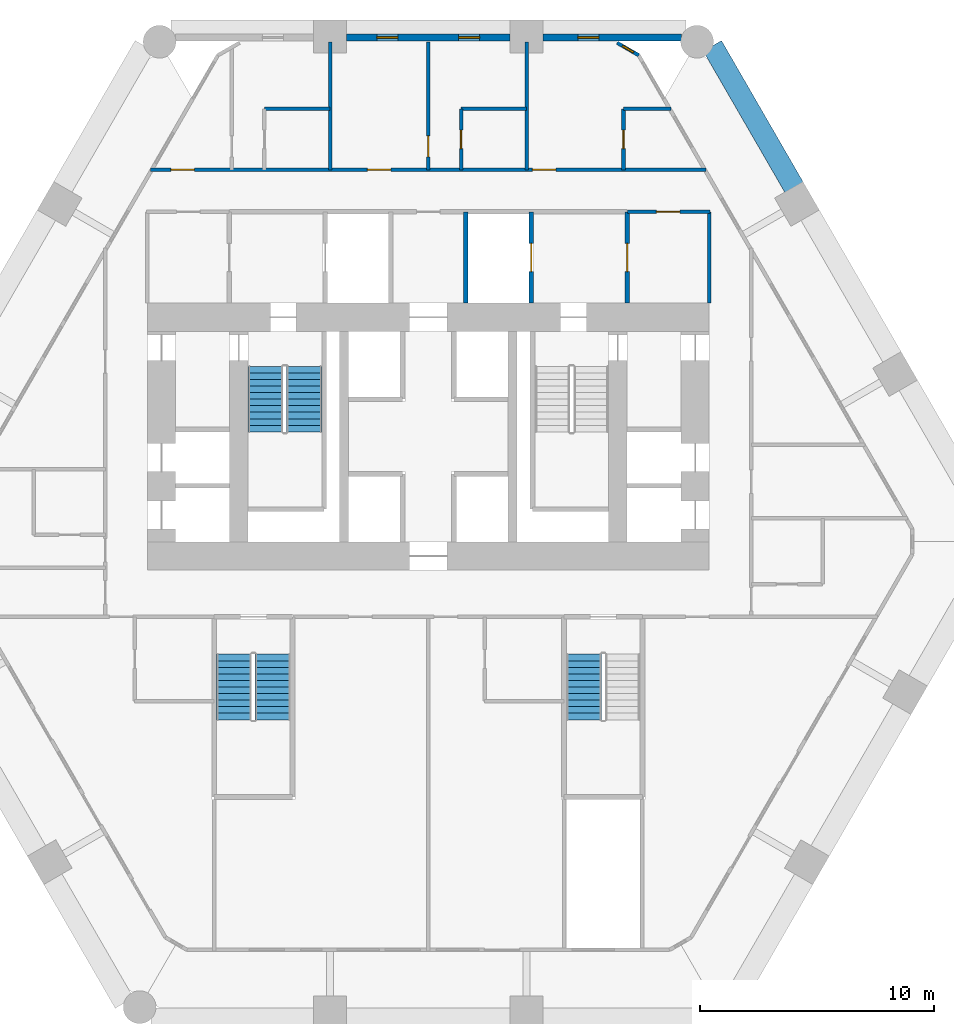
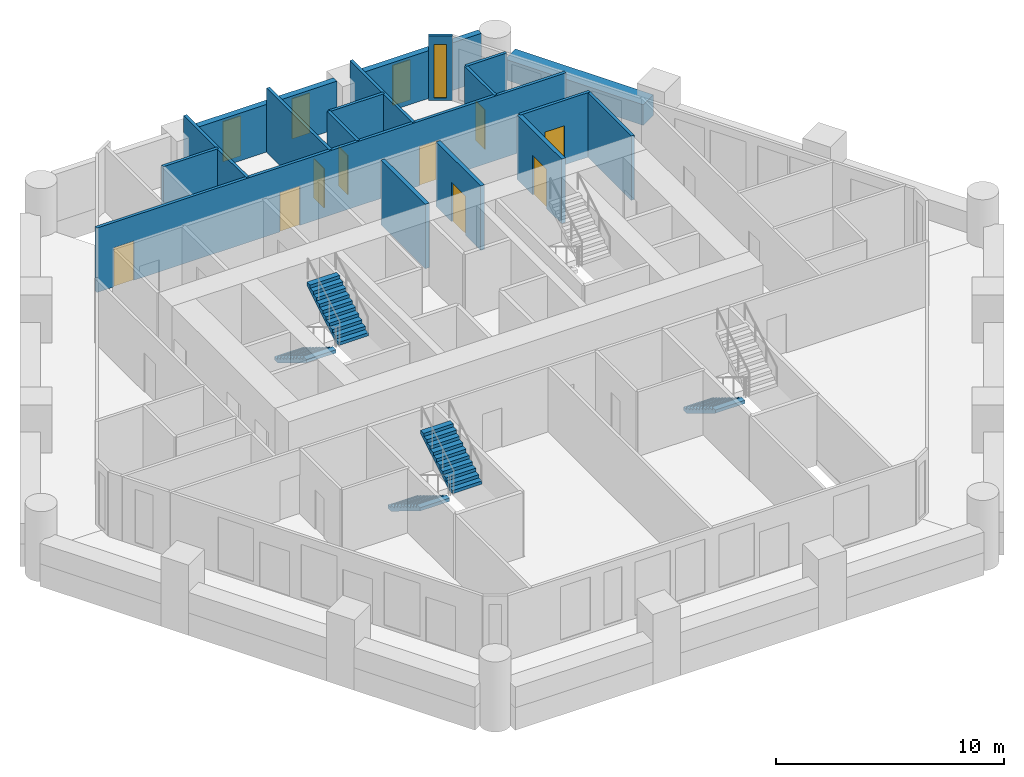
# One storey, part 6 of 8: 18 walls, 9 doors, 5 stair flights, 4 windows, 13 openings, 3 elements without a shape of their own.
"""IFC4 building model written with IfcOpenShell, lengths in metres."""

from ifc_helpers import new_model, si_unit, direction, frame, frame_2d, origin, place, context, subcontext, project, spatial, polyline, rectangle, outline, extrude, material, layer, layer_set, type_object, element, fill, aggregate, save


model = new_model("IFC4")

# Units and contexts
model_context = context("Model", 3, precision=1e-05, world=origin(), true_north=direction((0.0, 1.0)))
body_context = subcontext(model_context, "Body", "Model", "MODEL_VIEW")
ifc_project = project(units=[si_unit("LENGTHUNIT", "METRE"), si_unit("AREAUNIT", "SQUARE_METRE"), si_unit("VOLUMEUNIT", "CUBIC_METRE"), si_unit("PLANEANGLEUNIT", "RADIAN"), si_unit("MASSUNIT", "GRAM", prefix="KILO")], contexts=[model_context])

# Site, building, storey
site_placement = place(None, origin())
site = spatial("IfcSite", under=ifc_project, at=site_placement, CompositionType="ELEMENT")
building_placement = place(site_placement, origin())
building = spatial("IfcBuilding", under=site, at=building_placement, Name="Ostrander Bayou Hotel Tower", CompositionType="ELEMENT")
storey_placement = place(building_placement, frame((0.0, 0.0, 54.25)))
storey = spatial("IfcBuildingStorey", under=building, at=storey_placement, Name="L13", CompositionType="ELEMENT", Elevation=54.25)

# Wall, opening, window
ifc_material_1 = material(Name="Aluminium framed insulated wall", Category="aluminium")
ifc_layer_1 = layer(ifc_material_1, 0.14990234375)
ifc_layer_set_1 = layer_set([ifc_layer_1], Name="GW1 glass-line wall 150 mm")
wall_type_1 = type_object("IfcWallType", Name="GW1 glass-line wall 150 mm", PredefinedType="SOLIDWALL", material=ifc_layer_set_1)
wall_1_placement = place(storey_placement, frame((8.99267578125, 20.29248046875, 0.0), z_axis=(0.0, 0.0, 1.0), x_axis=(-0.866048165231, 0.499960573946, 0.0)))
wall_1 = element("IfcWall", 1, at=wall_1_placement, inside=storey, type_object=wall_type_1, Name="GW1 L13 corner 6", PredefinedType="SOLIDWALL", context=body_context, shape_type="SweptSolid", body=[
    extrude(rectangle(XDim=1.06494140625, YDim=0.14990234375, at=frame_2d((0.532470703125, 0.0))), origin(), (0.0, 0.0, 1.0), 3.449951171875),
])
opening_1_placement = place(wall_1_placement, frame((0.257568359375, 0.0, 0.14990234375)))
opening_1 = element("IfcOpeningElement", 2, at=opening_1_placement, cuts=wall_1, Name="Opening W19", PredefinedType="OPENING", context=body_context, shape_type="SweptSolid", body=[
    extrude(rectangle(XDim=0.550048828125, YDim=2.85009765625, at=frame_2d((0.27490234375, 1.425048828125))), frame((0.0, 0.074951171875, 0.0), z_axis=(0.0, -1.0, 0.0), x_axis=(1.0, 0.0, 0.0)), (0.0, 0.0, 1.0), 0.14990234375),
])
ifc_material_2 = material(Name="Aluminium and clear glass", Category="aluminium")
window_type_1 = type_object("IfcWindowType", Name="W19 corner window 550 mm", PartitioningType="SINGLE_PANEL", PredefinedType="WINDOW", material=ifc_material_2)
window_1_placement = place(opening_1_placement, origin())
window_1 = element("IfcWindow", 3, at=window_1_placement, inside=storey, type_object=window_type_1, Name="W19 L13 corner 6", OverallHeight=2.85009765625, OverallWidth=0.550048828125, PartitioningType="SINGLE_PANEL", PredefinedType="WINDOW", context=body_context, shape_type="SweptSolid", body=[
    extrude(rectangle(XDim=0.550048828125, YDim=2.85009765625, at=frame_2d((0.27490234375, 1.425048828125))), frame((0.0, 0.030029296875, 0.0), z_axis=(0.0, -1.0, 0.0), x_axis=(1.0, 0.0, 0.0)), (0.0, 0.0, 1.0), 0.06005859375),
])
fill(opening_1, window_1)

ifc_material_3 = material(Name="Reconstituted stone on masonry backing", Category="masonry")
ifc_layer_2 = layer(ifc_material_3, 0.300048828125)
ifc_layer_set_2 = layer_set([ifc_layer_2], Name="NW1 north stone wall 300 mm")
wall_type_2 = type_object("IfcWallType", Name="NW1 north stone wall 300 mm", PredefinedType="SOLIDWALL", material=ifc_layer_set_2)
wall_2_placement = place(storey_placement, frame((10.809814453125, 21.050048828125, 0.0), z_axis=(0.0, 0.0, 1.0), x_axis=(-1.0, 0.0, 0.0)))
wall_2 = element("IfcWall", 4, at=wall_2_placement, inside=storey, type_object=wall_type_2, Name="NW1 L13 N-1", PredefinedType="SOLIDWALL", context=body_context, shape_type="SweptSolid", body=[
    extrude(rectangle(XDim=5.914306640625, YDim=0.300048828125, at=frame_2d((2.95703125, 0.0))), origin(), (0.0, 0.0, 1.0), 2.550048828125),
])
opening_2_placement = place(wall_2_placement, frame((3.521728515625, 0.0, 0.14990234375)))
opening_2 = element("IfcOpeningElement", 5, at=opening_2_placement, cuts=wall_2, Name="Opening W15", PredefinedType="OPENING", context=body_context, shape_type="SweptSolid", body=[
    extrude(rectangle(XDim=0.89990234375, YDim=2.14990234375, at=frame_2d((0.449951171875, 1.074951171875))), frame((0.0, 0.14990234375, 0.0), z_axis=(0.0, -1.0, 0.0), x_axis=(1.0, 0.0, 0.0)), (0.0, 0.0, 1.0), 0.300048828125),
])
ifc_material_4 = material(Name="Aluminium and clear glass", Category="aluminium")
window_type_2 = type_object("IfcWindowType", Name="W15 window 900 mm, zone 1", PartitioningType="SINGLE_PANEL", PredefinedType="WINDOW", material=ifc_material_4)
window_2_placement = place(opening_2_placement, origin())
window_2 = element("IfcWindow", 6, at=window_2_placement, inside=storey, type_object=window_type_2, Name="W15 L13 north N-1", OverallHeight=2.14990234375, OverallWidth=0.89990234375, PartitioningType="SINGLE_PANEL", PredefinedType="WINDOW", context=body_context, shape_type="SweptSolid", body=[
    extrude(rectangle(XDim=0.89990234375, YDim=2.14990234375, at=frame_2d((0.449951171875, 1.074951171875))), frame((0.0, 0.030029296875, 0.0), z_axis=(0.0, -1.0, 0.0), x_axis=(1.0, 0.0, 0.0)), (0.0, 0.0, 1.0), 0.06005859375),
])
fill(opening_2, window_2)

# Wall, openings, windows
wall_3_placement = place(storey_placement, frame((3.495361328125, 21.050048828125, 0.0), z_axis=(0.0, 0.0, 1.0), x_axis=(-1.0, 0.0, 0.0)))
wall_3 = element("IfcWall", 7, at=wall_3_placement, inside=storey, type_object=wall_type_2, Name="NW1 L13 N-2", PredefinedType="SOLIDWALL", context=body_context, shape_type="SweptSolid", body=[
    extrude(rectangle(XDim=6.99072265625, YDim=0.300048828125, at=frame_2d((3.495361328125, 0.0))), origin(), (0.0, 0.0, 1.0), 2.550048828125),
])
opening_3_placement = place(wall_3_placement, frame((1.300048828125, 0.0, 0.14990234375)))
opening_3 = element("IfcOpeningElement", 8, at=opening_3_placement, cuts=wall_3, Name="Opening W15", PredefinedType="OPENING", context=body_context, shape_type="SweptSolid", body=[
    extrude(rectangle(XDim=0.89990234375, YDim=2.14990234375, at=frame_2d((0.449951171875, 1.074951171875))), frame((0.0, 0.14990234375, 0.0), z_axis=(0.0, -1.0, 0.0), x_axis=(1.0, 0.0, 0.0)), (0.0, 0.0, 1.0), 0.300048828125),
])
opening_4_placement = place(wall_3_placement, frame((4.79541015625, 0.0, 0.14990234375)))
opening_4 = element("IfcOpeningElement", 9, at=opening_4_placement, cuts=wall_3, Name="Opening W15", PredefinedType="OPENING", context=body_context, shape_type="SweptSolid", body=[
    extrude(rectangle(XDim=0.89990234375, YDim=2.14990234375, at=frame_2d((0.449951171875, 1.074951171875))), frame((0.0, 0.14990234375, 0.0), z_axis=(0.0, -1.0, 0.0), x_axis=(1.0, 0.0, 0.0)), (0.0, 0.0, 1.0), 0.300048828125),
])
window_3_placement = place(opening_3_placement, origin())
window_3 = element("IfcWindow", 10, at=window_3_placement, inside=storey, type_object=window_type_2, Name="W15 L13 north N-2", OverallHeight=2.14990234375, OverallWidth=0.89990234375, PartitioningType="SINGLE_PANEL", PredefinedType="WINDOW", context=body_context, shape_type="SweptSolid", body=[
    extrude(rectangle(XDim=0.89990234375, YDim=2.14990234375, at=frame_2d((0.449951171875, 1.074951171875))), frame((0.0, 0.030029296875, 0.0), z_axis=(0.0, -1.0, 0.0), x_axis=(1.0, 0.0, 0.0)), (0.0, 0.0, 1.0), 0.06005859375),
])
fill(opening_3, window_3)
window_4_placement = place(opening_4_placement, origin())
window_4 = element("IfcWindow", 11, at=window_4_placement, inside=storey, type_object=window_type_2, Name="W15 L13 north N-2-2", OverallHeight=2.14990234375, OverallWidth=0.89990234375, PartitioningType="SINGLE_PANEL", PredefinedType="WINDOW", context=body_context, shape_type="SweptSolid", body=[
    extrude(rectangle(XDim=0.89990234375, YDim=2.14990234375, at=frame_2d((0.449951171875, 1.074951171875))), frame((0.0, 0.030029296875, 0.0), z_axis=(0.0, -1.0, 0.0), x_axis=(1.0, 0.0, 0.0)), (0.0, 0.0, 1.0), 0.06005859375),
])
fill(opening_4, window_4)

# Wall
ifc_material_5 = material(Name="Concrete f'c 40 MPa", Category="concrete")
ifc_layer_3 = layer(ifc_material_5, 0.89990234375)
ifc_layer_set_3 = layer_set([ifc_layer_3], Name="PA1 stone-faced parapet 900 mm")
wall_type_3 = type_object("IfcWallType", Name="PA1 stone-faced parapet 900 mm", PredefinedType="PARAPET", material=ifc_layer_set_3)
wall_4_placement = place(storey_placement, frame((15.6318359375, 14.64306640625, 0.0), z_axis=(0.0, 0.0, 1.0), x_axis=(-0.500009789943, 0.866019751484, 0.0)))
element("IfcWall", 12, at=wall_4_placement, inside=storey, type_object=wall_type_3, Name="PA1 L13 NE-3", PredefinedType="PARAPET", context=body_context, shape_type="SweptSolid", body=[
    extrude(rectangle(XDim=6.987060546875, YDim=0.89990234375, at=frame_2d((3.49365234375, 0.0))), origin(), (0.0, 0.0, 1.0), 1.10009765625),
])

# Wall, opening, door
ifc_material_6 = material(Name="Masonry block", Category="masonry")
ifc_layer_4 = layer(ifc_material_6, 0.199951171875)
ifc_layer_set_4 = layer_set([ifc_layer_4], Name="PT5 stair enclosure wall 200 mm masonry, 2 hour")
wall_type_4 = type_object("IfcWallType", Name="PT5 stair enclosure wall 200 mm masonry, 2 hour", PredefinedType="PARTITIONING", material=ifc_layer_set_4)
wall_5_placement = place(storey_placement, frame((8.5, 9.699951171875, 0.0), z_axis=(0.0, 0.0, 1.0), x_axis=(0.0, 1.0, 0.0)))
wall_5 = element("IfcWall", 13, at=wall_5_placement, inside=storey, type_object=wall_type_4, Name="cs:L13:025", PredefinedType="PARTITIONING", context=body_context, shape_type="SweptSolid", body=[
    extrude(rectangle(XDim=3.900146484375, YDim=0.199951171875, at=frame_2d((1.9501953125, 0.0))), origin(), (0.0, 0.0, 1.0), 3.449951171875),
])
opening_5_placement = place(wall_5_placement, frame((1.35009765625, 0.0, 0.0)))
opening_5 = element("IfcOpeningElement", 14, at=opening_5_placement, cuts=wall_5, Name="Opening T12-012", PredefinedType="OPENING", context=body_context, shape_type="SweptSolid", body=[
    extrude(rectangle(XDim=1.199951171875, YDim=2.10009765625, at=frame_2d((0.60009765625, 1.050048828125))), frame((0.0, 0.10009765625, 0.0), z_axis=(0.0, -1.0, 0.0), x_axis=(1.0, 0.0, 0.0)), (0.0, 0.0, 1.0), 0.199951171875),
])
ifc_material_7 = material(Name="Timber door leaf", Category="wood")
door_type_1 = type_object("IfcDoorType", Name="D7 lobby door 1200 x 2100 mm, 1 hour", OperationType="SINGLE_SWING_LEFT", PredefinedType="DOOR", material=ifc_material_7)
door_1_placement = place(opening_5_placement, origin())
door_1 = element("IfcDoor", 15, at=door_1_placement, inside=storey, type_object=door_type_1, Name="dr:L13:012", OperationType="SINGLE_SWING_LEFT", OverallHeight=2.10009765625, OverallWidth=1.199951171875, PredefinedType="DOOR", context=body_context, shape_type="SweptSolid", body=[
    extrude(rectangle(XDim=1.199951171875, YDim=2.10009765625, at=frame_2d((0.60009765625, 1.050048828125))), frame((0.0, 0.02490234375, 0.0), z_axis=(0.0, -1.0, 0.0), x_axis=(1.0, 0.0, 0.0)), (0.0, 0.0, 1.0), 0.050048828125),
])
fill(opening_5, door_1)

wall_6_placement = place(storey_placement, frame((4.39990234375, 9.699951171875, 0.0), z_axis=(0.0, 0.0, 1.0), x_axis=(0.0, 1.0, 0.0)))
wall_6 = element("IfcWall", 16, at=wall_6_placement, inside=storey, type_object=wall_type_4, Name="cs:L13:027", PredefinedType="PARTITIONING", context=body_context, shape_type="SweptSolid", body=[
    extrude(rectangle(XDim=3.900146484375, YDim=0.199951171875, at=frame_2d((1.9501953125, 0.0))), origin(), (0.0, 0.0, 1.0), 3.449951171875),
])
opening_6_placement = place(wall_6_placement, frame((1.35009765625, 0.0, 0.0)))
opening_6 = element("IfcOpeningElement", 17, at=opening_6_placement, cuts=wall_6, Name="Opening T12-011", PredefinedType="OPENING", context=body_context, shape_type="SweptSolid", body=[
    extrude(rectangle(XDim=1.199951171875, YDim=2.10009765625, at=frame_2d((0.60009765625, 1.050048828125))), frame((0.0, 0.10009765625, 0.0), z_axis=(0.0, -1.0, 0.0), x_axis=(1.0, 0.0, 0.0)), (0.0, 0.0, 1.0), 0.199951171875),
])
ifc_material_8 = material(Name="Stainless steel sliding door", Category="steel")
door_type_2 = type_object("IfcDoorType", Name="LD1 lift landing door 1200 x 2100 mm", OperationType="SINGLE_SWING_LEFT", PredefinedType="DOOR", material=ifc_material_8)
door_2_placement = place(opening_6_placement, origin())
door_2 = element("IfcDoor", 18, at=door_2_placement, inside=storey, type_object=door_type_2, Name="dr:L13:011", OperationType="SLIDING_TO_LEFT", OverallHeight=2.10009765625, OverallWidth=1.199951171875, PredefinedType="DOOR", context=body_context, shape_type="SweptSolid", body=[
    extrude(rectangle(XDim=1.199951171875, YDim=2.10009765625, at=frame_2d((0.60009765625, 1.050048828125))), frame((0.0, 0.02490234375, 0.0), z_axis=(0.0, -1.0, 0.0), x_axis=(1.0, 0.0, 0.0)), (0.0, 0.0, 1.0), 0.050048828125),
])
fill(opening_6, door_2)

# Wall
ifc_material_9 = material(Name="Masonry block", Category="masonry")
ifc_layer_5 = layer(ifc_material_9, 0.199951171875)
ifc_layer_set_5 = layer_set([ifc_layer_5], Name="PT6 lift shaft wall 200 mm masonry, 2 hour")
wall_type_5 = type_object("IfcWallType", Name="PT6 lift shaft wall 200 mm masonry, 2 hour", PredefinedType="PARTITIONING", material=ifc_layer_set_5)
wall_7_placement = place(storey_placement, frame((1.60009765625, 9.699951171875, 0.0), z_axis=(0.0, 0.0, 1.0), x_axis=(0.0, 1.0, 0.0)))
element("IfcWall", 19, at=wall_7_placement, inside=storey, type_object=wall_type_5, Name="cs:L13:029", PredefinedType="PARTITIONING", context=body_context, shape_type="SweptSolid", body=[
    extrude(rectangle(XDim=3.900146484375, YDim=0.199951171875, at=frame_2d((1.9501953125, 0.0))), origin(), (0.0, 0.0, 1.0), 3.449951171875),
])

# Wall, opening, door
ifc_material_10 = material(Name="Gypsum board partition", Category="finish")
ifc_layer_6 = layer(ifc_material_10, 0.14990234375)
ifc_layer_set_6 = layer_set([ifc_layer_6], Name="PT8 service band wall 150 mm, 1 hour")
wall_type_6 = type_object("IfcWallType", Name="PT8 service band wall 150 mm, 1 hour", PredefinedType="PARTITIONING", material=ifc_layer_set_6)
wall_8_placement = place(storey_placement, frame((8.510009765625, 13.60009765625, 0.0), z_axis=(0.0, 0.0, 1.0), x_axis=(1.0, 0.0, 0.0)))
wall_8 = element("IfcWall", 20, at=wall_8_placement, inside=storey, type_object=wall_type_6, Name="gw:L13:013", PredefinedType="PARTITIONING", context=body_context, shape_type="SweptSolid", body=[
    extrude(rectangle(XDim=3.530029296875, YDim=0.14990234375, at=frame_2d((1.76513671875, 0.0))), origin(), (0.0, 0.0, 1.0), 3.449951171875),
])
opening_7_placement = place(wall_8_placement, frame((1.239990234375, 0.0, 0.0)))
opening_7 = element("IfcOpeningElement", 21, at=opening_7_placement, cuts=wall_8, Name="Opening T12-423", PredefinedType="OPENING", context=body_context, shape_type="SweptSolid", body=[
    extrude(rectangle(XDim=1.0, YDim=2.10009765625, at=frame_2d((0.5, 1.050048828125))), frame((0.0, 0.074951171875, 0.0), z_axis=(0.0, -1.0, 0.0), x_axis=(1.0, 0.0, 0.0)), (0.0, 0.0, 1.0), 0.14990234375),
])
ifc_material_11 = material(Name="Timber door leaf", Category="wood")
door_type_3 = type_object("IfcDoorType", Name="D9 service door 1000 x 2100 mm, 30 minute", OperationType="SINGLE_SWING_LEFT", PredefinedType="DOOR", material=ifc_material_11)
door_3_placement = place(opening_7_placement, origin())
door_3 = element("IfcDoor", 22, at=door_3_placement, inside=storey, type_object=door_type_3, Name="dr:L13:423", OperationType="SINGLE_SWING_LEFT", OverallHeight=2.10009765625, OverallWidth=1.0, PredefinedType="DOOR", context=body_context, shape_type="SweptSolid", body=[
    extrude(rectangle(XDim=1.0, YDim=2.10009765625, at=frame_2d((0.5, 1.050048828125))), frame((0.0, 0.02490234375, 0.0), z_axis=(0.0, -1.0, 0.0), x_axis=(1.0, 0.0, 0.0)), (0.0, 0.0, 1.0), 0.050048828125),
])
fill(opening_7, door_3)

# Wall, openings, doors
wall_9_placement = place(storey_placement, frame((-11.868896484375, 15.39990234375, 0.0), z_axis=(0.0, 0.0, 1.0), x_axis=(1.0, 0.0, 0.0)))
wall_9 = element("IfcWall", 23, at=wall_9_placement, inside=storey, type_object=wall_type_6, Name="gw:L13:014", PredefinedType="PARTITIONING", context=body_context, shape_type="SweptSolid", body=[
    extrude(rectangle(XDim=23.73779296875, YDim=0.14990234375, at=frame_2d((11.868896484375, 0.0))), origin(), (0.0, 0.0, 1.0), 3.449951171875),
])
opening_8_placement = place(wall_9_placement, frame((0.868896484375, 0.0, 0.0)))
opening_8 = element("IfcOpeningElement", 24, at=opening_8_placement, cuts=wall_9, Name="Opening T12-414", PredefinedType="OPENING", context=body_context, shape_type="SweptSolid", body=[
    extrude(rectangle(XDim=1.0, YDim=2.10009765625, at=frame_2d((0.5, 1.050048828125))), frame((0.0, 0.074951171875, 0.0), z_axis=(0.0, -1.0, 0.0), x_axis=(1.0, 0.0, 0.0)), (0.0, 0.0, 1.0), 0.14990234375),
])
opening_9_placement = place(wall_9_placement, frame((9.26904296875, 0.0, 0.0)))
opening_9 = element("IfcOpeningElement", 25, at=opening_9_placement, cuts=wall_9, Name="Opening T12-417", PredefinedType="OPENING", context=body_context, shape_type="SweptSolid", body=[
    extrude(rectangle(XDim=1.0, YDim=2.10009765625, at=frame_2d((0.5, 1.050048828125))), frame((0.0, 0.074951171875, 0.0), z_axis=(0.0, -1.0, 0.0), x_axis=(1.0, 0.0, 0.0)), (0.0, 0.0, 1.0), 0.14990234375),
])
opening_10_placement = place(wall_9_placement, frame((16.319091796875, 0.0, 0.0)))
opening_10 = element("IfcOpeningElement", 26, at=opening_10_placement, cuts=wall_9, Name="Opening T12-420", PredefinedType="OPENING", context=body_context, shape_type="SweptSolid", body=[
    extrude(rectangle(XDim=1.0, YDim=2.10009765625, at=frame_2d((0.5, 1.050048828125))), frame((0.0, 0.074951171875, 0.0), z_axis=(0.0, -1.0, 0.0), x_axis=(1.0, 0.0, 0.0)), (0.0, 0.0, 1.0), 0.14990234375),
])
ifc_material_12 = material(Name="Timber door leaf", Category="wood")
door_type_4 = type_object("IfcDoorType", Name="D1 guest room door 1000 x 2100 mm, 30 minute", OperationType="SINGLE_SWING_LEFT", PredefinedType="DOOR", material=ifc_material_12)
door_4_placement = place(opening_8_placement, origin())
door_4 = element("IfcDoor", 27, at=door_4_placement, inside=storey, type_object=door_type_4, Name="dr:L13:414", OperationType="SINGLE_SWING_LEFT", OverallHeight=2.10009765625, OverallWidth=1.0, PredefinedType="DOOR", context=body_context, shape_type="SweptSolid", body=[
    extrude(rectangle(XDim=1.0, YDim=2.10009765625, at=frame_2d((0.5, 1.050048828125))), frame((0.0, 0.02490234375, 0.0), z_axis=(0.0, -1.0, 0.0), x_axis=(1.0, 0.0, 0.0)), (0.0, 0.0, 1.0), 0.050048828125),
])
fill(opening_8, door_4)
door_5_placement = place(opening_9_placement, origin())
door_5 = element("IfcDoor", 28, at=door_5_placement, inside=storey, type_object=door_type_4, Name="dr:L13:417", OperationType="SINGLE_SWING_LEFT", OverallHeight=2.10009765625, OverallWidth=1.0, PredefinedType="DOOR", context=body_context, shape_type="SweptSolid", body=[
    extrude(rectangle(XDim=1.0, YDim=2.10009765625, at=frame_2d((0.5, 1.050048828125))), frame((0.0, 0.02490234375, 0.0), z_axis=(0.0, -1.0, 0.0), x_axis=(1.0, 0.0, 0.0)), (0.0, 0.0, 1.0), 0.050048828125),
])
fill(opening_9, door_5)
door_6_placement = place(opening_10_placement, origin())
door_6 = element("IfcDoor", 29, at=door_6_placement, inside=storey, type_object=door_type_4, Name="dr:L13:420", OperationType="SINGLE_SWING_LEFT", OverallHeight=2.10009765625, OverallWidth=1.0, PredefinedType="DOOR", context=body_context, shape_type="SweptSolid", body=[
    extrude(rectangle(XDim=1.0, YDim=2.10009765625, at=frame_2d((0.5, 1.050048828125))), frame((0.0, 0.02490234375, 0.0), z_axis=(0.0, -1.0, 0.0), x_axis=(1.0, 0.0, 0.0)), (0.0, 0.0, 1.0), 0.050048828125),
])
fill(opening_10, door_6)

# Walls
for number, where, z_axis, x_axis, name in (
    (30, (-7.0, 18.0, 0.0), (0.0, 0.0, 1.0), (1.0, 0.0, 0.0), "gw:L13:015"),
    (31, (1.39990234375, 18.0, 0.0), (0.0, 0.0, 1.0), (1.0, 0.0, 0.0), "gw:L13:016"),
):
    element("IfcWall", number, at=place(storey_placement, frame(where, z_axis=z_axis, x_axis=x_axis)), inside=storey, type_object=wall_type_6, Name=name, PredefinedType="PARTITIONING", context=body_context, shape_type="SweptSolid", body=[
        extrude(rectangle(XDim=2.800048828125, YDim=0.14990234375, at=frame_2d((1.39990234375, 0.0))), origin(), (0.0, 0.0, 1.0), 3.449951171875),
    ])
wall_10_placement = place(storey_placement, frame((8.340087890625, 18.0, 0.0), z_axis=(0.0, 0.0, 1.0), x_axis=(1.0, 0.0, 0.0)))
element("IfcWall", 32, at=wall_10_placement, inside=storey, type_object=wall_type_6, Name="gw:L13:017", PredefinedType="PARTITIONING", context=body_context, shape_type="SweptSolid", body=[
    extrude(rectangle(XDim=2.02783203125, YDim=0.14990234375, at=frame_2d((1.013916015625, 0.0))), origin(), (0.0, 0.0, 1.0), 3.449951171875),
])
wall_11_placement = place(storey_placement, frame((12.0, 9.7099609375, 0.0), z_axis=(0.0, 0.0, 1.0), x_axis=(0.0, 1.0, 0.0)))
element("IfcWall", 33, at=wall_11_placement, inside=storey, type_object=wall_type_6, Name="gw:L13:020", PredefinedType="PARTITIONING", context=body_context, shape_type="SweptSolid", body=[
    extrude(rectangle(XDim=3.89013671875, YDim=0.14990234375, at=frame_2d((1.945068359375, 0.0))), origin(), (0.0, 0.0, 1.0), 3.449951171875),
])

# Wall, opening, door
wall_12_placement = place(storey_placement, frame((8.340087890625, 15.39990234375, 0.0), z_axis=(0.0, 0.0, 1.0), x_axis=(0.0, 1.0, 0.0)))
wall_12 = element("IfcWall", 34, at=wall_12_placement, inside=storey, type_object=wall_type_6, Name="gw:L13:022", PredefinedType="PARTITIONING", context=body_context, shape_type="SweptSolid", body=[
    extrude(rectangle(XDim=2.60009765625, YDim=0.14990234375, at=frame_2d((1.300048828125, 0.0))), origin(), (0.0, 0.0, 1.0), 3.449951171875),
])
opening_11_placement = place(wall_12_placement, frame((0.89990234375, 0.0, 0.0)))
opening_11 = element("IfcOpeningElement", 35, at=opening_11_placement, cuts=wall_12, Name="Opening T12-421", PredefinedType="OPENING", context=body_context, shape_type="SweptSolid", body=[
    extrude(rectangle(XDim=0.800048828125, YDim=2.10009765625, at=frame_2d((0.39990234375, 1.050048828125))), frame((0.0, 0.074951171875, 0.0), z_axis=(0.0, -1.0, 0.0), x_axis=(1.0, 0.0, 0.0)), (0.0, 0.0, 1.0), 0.14990234375),
])
ifc_material_13 = material(Name="Timber door leaf", Category="wood")
door_type_5 = type_object("IfcDoorType", Name="D2 bathroom door 800 x 2100 mm", OperationType="SINGLE_SWING_LEFT", PredefinedType="DOOR", material=ifc_material_13)
door_7_placement = place(opening_11_placement, origin())
door_7 = element("IfcDoor", 36, at=door_7_placement, inside=storey, type_object=door_type_5, Name="dr:L13:421", OperationType="SINGLE_SWING_LEFT", OverallHeight=2.10009765625, OverallWidth=0.800048828125, PredefinedType="DOOR", context=body_context, shape_type="SweptSolid", body=[
    extrude(rectangle(XDim=0.800048828125, YDim=2.10009765625, at=frame_2d((0.39990234375, 1.050048828125))), frame((0.0, 0.02490234375, 0.0), z_axis=(0.0, -1.0, 0.0), x_axis=(1.0, 0.0, 0.0)), (0.0, 0.0, 1.0), 0.050048828125),
])
fill(opening_11, door_7)

# Wall
wall_13_placement = place(storey_placement, frame((4.199951171875, 15.39990234375, 0.0), z_axis=(0.0, 0.0, 1.0), x_axis=(0.0, 1.0, 0.0)))
element("IfcWall", 37, at=wall_13_placement, inside=storey, type_object=wall_type_6, Name="gw:L13:024", PredefinedType="PARTITIONING", context=body_context, shape_type="SweptSolid", body=[
    extrude(rectangle(XDim=5.47021484375, YDim=0.14990234375, at=frame_2d((2.735107421875, 0.0))), origin(), (0.0, 0.0, 1.0), 3.449951171875),
])

# Wall, opening, door
wall_14_placement = place(storey_placement, frame((1.39990234375, 15.39990234375, 0.0), z_axis=(0.0, 0.0, 1.0), x_axis=(0.0, 1.0, 0.0)))
wall_14 = element("IfcWall", 38, at=wall_14_placement, inside=storey, type_object=wall_type_6, Name="gw:L13:026", PredefinedType="PARTITIONING", context=body_context, shape_type="SweptSolid", body=[
    extrude(rectangle(XDim=2.60009765625, YDim=0.14990234375, at=frame_2d((1.300048828125, 0.0))), origin(), (0.0, 0.0, 1.0), 3.449951171875),
])
opening_12_placement = place(wall_14_placement, frame((0.89990234375, 0.0, 0.0)))
opening_12 = element("IfcOpeningElement", 39, at=opening_12_placement, cuts=wall_14, Name="Opening T12-419", PredefinedType="OPENING", context=body_context, shape_type="SweptSolid", body=[
    extrude(rectangle(XDim=0.800048828125, YDim=2.10009765625, at=frame_2d((0.39990234375, 1.050048828125))), frame((0.0, 0.074951171875, 0.0), z_axis=(0.0, -1.0, 0.0), x_axis=(1.0, 0.0, 0.0)), (0.0, 0.0, 1.0), 0.14990234375),
])
door_8_placement = place(opening_12_placement, origin())
door_8 = element("IfcDoor", 40, at=door_8_placement, inside=storey, type_object=door_type_5, Name="dr:L13:419", OperationType="SINGLE_SWING_LEFT", OverallHeight=2.10009765625, OverallWidth=0.800048828125, PredefinedType="DOOR", context=body_context, shape_type="SweptSolid", body=[
    extrude(rectangle(XDim=0.800048828125, YDim=2.10009765625, at=frame_2d((0.39990234375, 1.050048828125))), frame((0.0, 0.02490234375, 0.0), z_axis=(0.0, -1.0, 0.0), x_axis=(1.0, 0.0, 0.0)), (0.0, 0.0, 1.0), 0.050048828125),
])
fill(opening_12, door_8)

wall_15_placement = place(storey_placement, frame((0.0, 15.39990234375, 0.0), z_axis=(0.0, 0.0, 1.0), x_axis=(0.0, 1.0, 0.0)))
wall_15 = element("IfcWall", 41, at=wall_15_placement, inside=storey, type_object=wall_type_6, Name="gw:L13:028", PredefinedType="PARTITIONING", context=body_context, shape_type="SweptSolid", body=[
    extrude(rectangle(XDim=5.47021484375, YDim=0.14990234375, at=frame_2d((2.735107421875, 0.0))), origin(), (0.0, 0.0, 1.0), 3.449951171875),
])
opening_13_placement = place(wall_15_placement, frame((0.550048828125, 0.0, 0.0)))
opening_13 = element("IfcOpeningElement", 42, at=opening_13_placement, cuts=wall_15, Name="Opening T12-418", PredefinedType="OPENING", context=body_context, shape_type="SweptSolid", body=[
    extrude(rectangle(XDim=0.89990234375, YDim=2.10009765625, at=frame_2d((0.449951171875, 1.050048828125))), frame((0.0, 0.074951171875, 0.0), z_axis=(0.0, -1.0, 0.0), x_axis=(1.0, 0.0, 0.0)), (0.0, 0.0, 1.0), 0.14990234375),
])
ifc_material_14 = material(Name="Timber door leaf", Category="wood")
door_type_6 = type_object("IfcDoorType", Name="D8 room door 900 x 2100 mm", OperationType="SINGLE_SWING_LEFT", PredefinedType="DOOR", material=ifc_material_14)
door_9_placement = place(opening_13_placement, origin())
door_9 = element("IfcDoor", 43, at=door_9_placement, inside=storey, type_object=door_type_6, Name="dr:L13:418", OperationType="SINGLE_SWING_LEFT", OverallHeight=2.10009765625, OverallWidth=0.89990234375, PredefinedType="DOOR", context=body_context, shape_type="SweptSolid", body=[
    extrude(rectangle(XDim=0.89990234375, YDim=2.10009765625, at=frame_2d((0.449951171875, 1.050048828125))), frame((0.0, 0.02490234375, 0.0), z_axis=(0.0, -1.0, 0.0), x_axis=(1.0, 0.0, 0.0)), (0.0, 0.0, 1.0), 0.050048828125),
])
fill(opening_13, door_9)

# Wall
wall_16_placement = place(storey_placement, frame((-4.199951171875, 15.39990234375, 0.0), z_axis=(0.0, 0.0, 1.0), x_axis=(0.0, 1.0, 0.0)))
element("IfcWall", 44, at=wall_16_placement, inside=storey, type_object=wall_type_6, Name="gw:L13:029", PredefinedType="PARTITIONING", context=body_context, shape_type="SweptSolid", body=[
    extrude(rectangle(XDim=5.47021484375, YDim=0.14990234375, at=frame_2d((2.735107421875, 0.0))), origin(), (0.0, 0.0, 1.0), 3.449951171875),
])

# Stair, stair flights
ifc_material_15 = material(Name="Concrete f'c 45 MPa", Category="concrete")
stair_type = type_object("IfcStairType", Name="ST1 exit stair 1500 mm f'c 45 MPa", PredefinedType="HALF_TURN_STAIR", material=ifc_material_15)
stair_1_placement = place(storey_placement, origin())
stair_1 = element("IfcStair", 45, at=stair_1_placement, inside=storey, type_object=stair_type, Name="L13 exit stair A", PredefinedType="HALF_TURN_STAIR")
ifc_material_16 = material(Name="Concrete f'c 45 MPa", Category="concrete")
stair_flight_type = type_object("IfcStairFlightType", Name="SF1 stair flight 1500 mm f'c 45 MPa", PredefinedType="STRAIGHT", material=ifc_material_16)
stair_flight_1_placement = place(storey_placement, frame((-6.949951171875, 7.0, 0.0), z_axis=(0.0, 0.0, 1.0), x_axis=(0.0, -1.0, 0.0)))
stair_flight_1 = element("IfcStairFlight", 46, at=stair_flight_1_placement, type_object=stair_flight_type, Name="STA flight 1", NumberOfRisers=11, NumberOfTreads=10, PredefinedType="STRAIGHT", RiserHeight=0.170454545, TreadLength=0.28, context=body_context, shape_type="SweptSolid", body=[
    extrude(outline(polyline([(0.0, 0.0), (0.0, 0.17041015625), (0.280029296875, 0.17041015625), (0.280029296875, 0.3408203125), (0.56005859375, 0.3408203125), (0.56005859375, 0.511474609375), (0.840087890625, 0.511474609375), (0.840087890625, 0.681884765625), (1.1201171875, 0.681884765625), (1.1201171875, 0.852294921875), (1.39990234375, 0.852294921875), (1.39990234375, 1.022705078125), (1.679931640625, 1.022705078125), (1.679931640625, 1.193115234375), (1.9599609375, 1.193115234375), (1.9599609375, 1.363525390625), (2.239990234375, 1.363525390625), (2.239990234375, 1.5341796875), (2.52001953125, 1.5341796875), (2.52001953125, 1.70458984375), (2.800048828125, 1.70458984375), (2.800048828125, 1.875), (2.800048828125, 1.529052734375), (0.288330078125, 0.0), (0.0, 0.0)])), frame((0.0, 0.75, 0.0), z_axis=(0.0, -1.0, 0.0), x_axis=(1.0, 0.0, 0.0)), (0.0, 0.0, 1.0), 1.5),
])
stair_flight_2_placement = place(storey_placement, frame((-5.300048828125, 4.199951171875, 1.875), z_axis=(0.0, 0.0, 1.0), x_axis=(0.0, 1.0, 0.0)))
stair_flight_2 = element("IfcStairFlight", 47, at=stair_flight_2_placement, type_object=stair_flight_type, Name="STA flight 2", NumberOfRisers=11, NumberOfTreads=10, PredefinedType="STRAIGHT", RiserHeight=0.170454545, TreadLength=0.28, context=body_context, shape_type="SweptSolid", body=[
    extrude(outline(polyline([(0.0, 0.0), (0.0, 0.17041015625), (0.280029296875, 0.17041015625), (0.280029296875, 0.3408203125), (0.56005859375, 0.3408203125), (0.56005859375, 0.511474609375), (0.840087890625, 0.511474609375), (0.840087890625, 0.681884765625), (1.1201171875, 0.681884765625), (1.1201171875, 0.852294921875), (1.39990234375, 0.852294921875), (1.39990234375, 1.022705078125), (1.679931640625, 1.022705078125), (1.679931640625, 1.193115234375), (1.9599609375, 1.193115234375), (1.9599609375, 1.363525390625), (2.239990234375, 1.363525390625), (2.239990234375, 1.5341796875), (2.52001953125, 1.5341796875), (2.52001953125, 1.70458984375), (2.800048828125, 1.70458984375), (2.800048828125, 1.875), (2.800048828125, 1.529052734375), (0.288330078125, 0.0), (0.0, 0.0)])), frame((0.0, 0.75, 0.0), z_axis=(0.0, -1.0, 0.0), x_axis=(1.0, 0.0, 0.0)), (0.0, 0.0, 1.0), 1.5),
])
aggregate(stair_1, [stair_flight_1, stair_flight_2])

# Stair, stair flight
stair_2_placement = place(storey_placement, origin())
stair_2 = element("IfcStair", 48, at=stair_2_placement, inside=storey, type_object=stair_type, Name="L13 exit stair C", PredefinedType="HALF_TURN_STAIR")
stair_flight_3_placement = place(storey_placement, frame((6.64990234375, -5.300048828125, 0.0), z_axis=(0.0, 0.0, 1.0), x_axis=(0.0, -1.0, 0.0)))
stair_flight_3 = element("IfcStairFlight", 49, at=stair_flight_3_placement, type_object=stair_flight_type, Name="STC flight 1", NumberOfRisers=11, NumberOfTreads=10, PredefinedType="STRAIGHT", RiserHeight=0.170454545, TreadLength=0.28, context=body_context, shape_type="SweptSolid", body=[
    extrude(outline(polyline([(0.0, 0.0), (0.0, 0.17041015625), (0.280029296875, 0.17041015625), (0.280029296875, 0.3408203125), (0.56005859375, 0.3408203125), (0.56005859375, 0.511474609375), (0.840087890625, 0.511474609375), (0.840087890625, 0.681884765625), (1.1201171875, 0.681884765625), (1.1201171875, 0.852294921875), (1.39990234375, 0.852294921875), (1.39990234375, 1.022705078125), (1.679931640625, 1.022705078125), (1.679931640625, 1.193115234375), (1.9599609375, 1.193115234375), (1.9599609375, 1.363525390625), (2.239990234375, 1.363525390625), (2.239990234375, 1.5341796875), (2.52001953125, 1.5341796875), (2.52001953125, 1.70458984375), (2.800048828125, 1.70458984375), (2.800048828125, 1.875), (2.800048828125, 1.529052734375), (0.288330078125, 0.0), (0.0, 0.0)])), frame((0.0, 0.75, 0.0), z_axis=(0.0, -1.0, 0.0), x_axis=(1.0, 0.0, 0.0)), (0.0, 0.0, 1.0), 1.5),
])
aggregate(stair_2, [stair_flight_3])

# Stair, stair flights
stair_3_placement = place(storey_placement, origin())
stair_3 = element("IfcStair", 50, at=stair_3_placement, inside=storey, type_object=stair_type, Name="L13 exit stair D", PredefinedType="HALF_TURN_STAIR")
stair_flight_4_placement = place(storey_placement, frame((-8.300048828125, -5.300048828125, 0.0), z_axis=(0.0, 0.0, 1.0), x_axis=(0.0, -1.0, 0.0)))
stair_flight_4 = element("IfcStairFlight", 51, at=stair_flight_4_placement, type_object=stair_flight_type, Name="STD flight 1", NumberOfRisers=11, NumberOfTreads=10, PredefinedType="STRAIGHT", RiserHeight=0.170454545, TreadLength=0.28, context=body_context, shape_type="SweptSolid", body=[
    extrude(outline(polyline([(0.0, 0.0), (0.0, 0.17041015625), (0.280029296875, 0.17041015625), (0.280029296875, 0.3408203125), (0.56005859375, 0.3408203125), (0.56005859375, 0.511474609375), (0.840087890625, 0.511474609375), (0.840087890625, 0.681884765625), (1.1201171875, 0.681884765625), (1.1201171875, 0.852294921875), (1.39990234375, 0.852294921875), (1.39990234375, 1.022705078125), (1.679931640625, 1.022705078125), (1.679931640625, 1.193115234375), (1.9599609375, 1.193115234375), (1.9599609375, 1.363525390625), (2.239990234375, 1.363525390625), (2.239990234375, 1.5341796875), (2.52001953125, 1.5341796875), (2.52001953125, 1.70458984375), (2.800048828125, 1.70458984375), (2.800048828125, 1.875), (2.800048828125, 1.529052734375), (0.288330078125, 0.0), (0.0, 0.0)])), frame((0.0, 0.75, 0.0), z_axis=(0.0, -1.0, 0.0), x_axis=(1.0, 0.0, 0.0)), (0.0, 0.0, 1.0), 1.5),
])
stair_flight_5_placement = place(storey_placement, frame((-6.64990234375, -8.10009765625, 1.875), z_axis=(0.0, 0.0, 1.0), x_axis=(0.0, 1.0, 0.0)))
stair_flight_5 = element("IfcStairFlight", 52, at=stair_flight_5_placement, type_object=stair_flight_type, Name="STD flight 2", NumberOfRisers=11, NumberOfTreads=10, PredefinedType="STRAIGHT", RiserHeight=0.170454545, TreadLength=0.28, context=body_context, shape_type="SweptSolid", body=[
    extrude(outline(polyline([(0.0, 0.0), (0.0, 0.17041015625), (0.280029296875, 0.17041015625), (0.280029296875, 0.3408203125), (0.56005859375, 0.3408203125), (0.56005859375, 0.511474609375), (0.840087890625, 0.511474609375), (0.840087890625, 0.681884765625), (1.1201171875, 0.681884765625), (1.1201171875, 0.852294921875), (1.39990234375, 0.852294921875), (1.39990234375, 1.022705078125), (1.679931640625, 1.022705078125), (1.679931640625, 1.193115234375), (1.9599609375, 1.193115234375), (1.9599609375, 1.363525390625), (2.239990234375, 1.363525390625), (2.239990234375, 1.5341796875), (2.52001953125, 1.5341796875), (2.52001953125, 1.70458984375), (2.800048828125, 1.70458984375), (2.800048828125, 1.875), (2.800048828125, 1.529052734375), (0.288330078125, 0.0), (0.0, 0.0)])), frame((0.0, 0.75, 0.0), z_axis=(0.0, -1.0, 0.0), x_axis=(1.0, 0.0, 0.0)), (0.0, 0.0, 1.0), 1.5),
])
aggregate(stair_3, [stair_flight_4, stair_flight_5])

save(model, "model.ifc")
